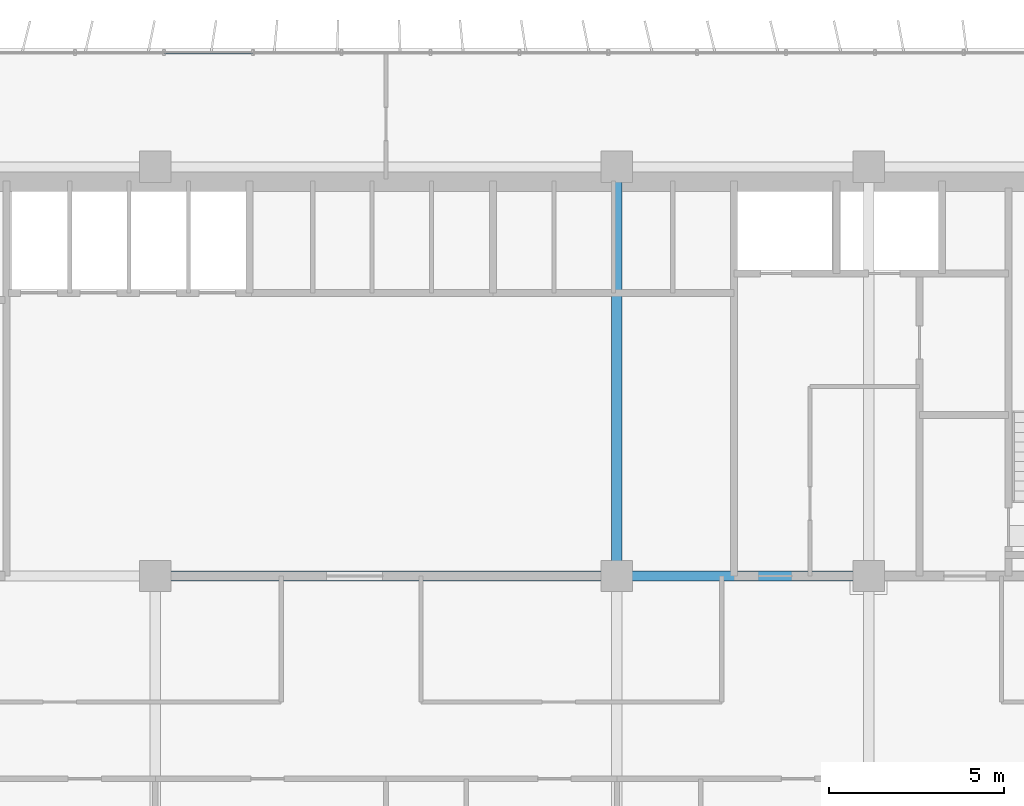
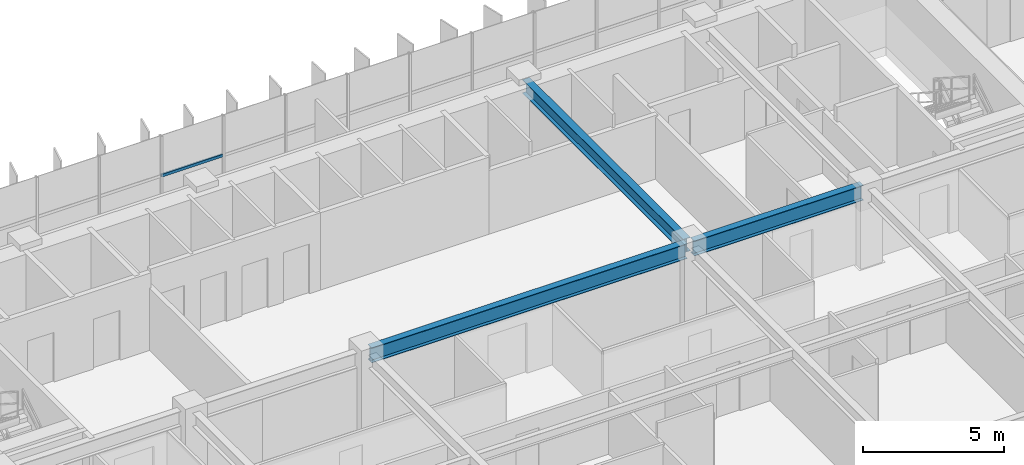
# One storey, part 7 of 26: 3 beams, 1 member, 1 element without a shape of its own.
"""IFC4 building model written with IfcOpenShell, lengths in metres."""

from ifc_helpers import new_model, si_unit, direction, frame, origin, origin_2d, place, context, subcontext, project, spatial, hollow_rectangle, i_section, extrude, source, transform, mapped, material, material_profile, profile_set, type_object, element, aggregate, save


model = new_model("IFC4")

# Units and contexts
model_context = context("Model", 3, precision=1e-05, world=origin(), true_north=direction((0.0, 1.0)))
body_context = subcontext(model_context, "Body", "Model", "MODEL_VIEW")
ifc_project = project(units=[si_unit("LENGTHUNIT", "METRE"), si_unit("AREAUNIT", "SQUARE_METRE"), si_unit("VOLUMEUNIT", "CUBIC_METRE"), si_unit("PLANEANGLEUNIT", "RADIAN"), si_unit("MASSUNIT", "GRAM", prefix="KILO")], contexts=[model_context])

# Site, building, storey
site_placement = place(None, origin())
site = spatial("IfcSite", under=ifc_project, at=site_placement, CompositionType="ELEMENT")
building_placement = place(site_placement, origin())
building = spatial("IfcBuilding", under=site, at=building_placement, Name="Trelvane Seafront Commons", CompositionType="ELEMENT")
storey_placement = place(building_placement, frame((0.0, 0.0, 23.5)))
storey = spatial("IfcBuildingStorey", under=building, at=storey_placement, Name="L05", CompositionType="ELEMENT", Elevation=23.5)

# Beams
ifc_material_1 = material(Name="Steel SM355 (S355)", Category="steel")
ifc_material_profile_1 = material_profile(ifc_material_1, i_section(OverallWidth=0.280029296875, OverallDepth=0.64990234375, WebThickness=0.012939453125, FlangeThickness=0.02197265625, at=origin_2d()), Name="H-650x280x13x22")
ifc_profile_set_1 = profile_set([ifc_material_profile_1], Name="Steel SM355 (S355)")
beam_type_1 = type_object("IfcBeamType", Name="STR-BM-H650", PredefinedType="BEAM", material=ifc_profile_set_1)
shared_shape_1 = source(origin(), body_context, "Body", "SweptSolid", [
    extrude(i_section(OverallWidth=0.280029296875, OverallDepth=0.64990234375, WebThickness=0.012939453125, FlangeThickness=0.02197265625, at=origin_2d()), origin(), (0.0, 0.0, 1.0), 12.89990234375),
])
beam_1_placement = place(storey_placement, frame((30.75, 33.39990234375, 3.014892578125), z_axis=(1.0, 0.0, 0.0), x_axis=(0.0, 1.0, 0.0)))
element("IfcBeam", 1, at=beam_1_placement, inside=storey, type_object=beam_type_1, Name="L05 Primary Girder G-23", PredefinedType="BEAM", context=body_context, shape_type="MappedRepresentation", body=[
    mapped(shared_shape_1, transform((0.0, 0.0, 0.0), x_axis=(1.0, 0.0, 0.0), y_axis=(0.0, 1.0, 0.0), z_axis=(0.0, 0.0, 1.0), scale=1.0)),
])
shared_shape_2 = source(origin(), body_context, "Body", "SweptSolid", [
    extrude(i_section(OverallWidth=0.280029296875, OverallDepth=0.64990234375, WebThickness=0.012939453125, FlangeThickness=0.02197265625, at=origin_2d()), origin(), (0.0, 0.0, 1.0), 6.900146484375),
])
beam_2_placement = place(storey_placement, frame((43.949951171875, 33.39990234375, 3.014892578125), z_axis=(1.0, 0.0, 0.0), x_axis=(0.0, 1.0, 0.0)))
element("IfcBeam", 2, at=beam_2_placement, inside=storey, type_object=beam_type_1, Name="L05 Primary Girder G-24", PredefinedType="BEAM", context=body_context, shape_type="MappedRepresentation", body=[
    mapped(shared_shape_2, transform((0.0, 0.0, 0.0), x_axis=(1.0, 0.0, 0.0), y_axis=(0.0, 1.0, 0.0), z_axis=(0.0, 0.0, 1.0), scale=1.0)),
])
ifc_material_profile_2 = material_profile(ifc_material_1, i_section(OverallWidth=0.300048828125, OverallDepth=0.587890625, WebThickness=0.011962890625, FlangeThickness=0.02001953125, at=origin_2d()), Name="H-588x300x12x20")
ifc_profile_set_2 = profile_set([ifc_material_profile_2], Name="Steel SM355 (S355)")
beam_type_2 = type_object("IfcBeamType", Name="STR-BM-H588", PredefinedType="BEAM", material=ifc_profile_set_2)
shared_shape_3 = source(origin(), body_context, "Body", "SweptSolid", [
    extrude(i_section(OverallWidth=0.300048828125, OverallDepth=0.587890625, WebThickness=0.011962890625, FlangeThickness=0.02001953125, at=origin_2d()), origin(), (0.0, 0.0, 1.0), 11.39990234375),
])
beam_3_placement = place(storey_placement, frame((43.800048828125, 33.550048828125, 3.0458984375), z_axis=(0.0, 1.0, 0.0), x_axis=(-1.0, 0.0, 0.0)))
element("IfcBeam", 3, at=beam_3_placement, inside=storey, type_object=beam_type_2, Name="L05 Primary Girder G-54", PredefinedType="BEAM", context=body_context, shape_type="MappedRepresentation", body=[
    mapped(shared_shape_3, transform((0.0, 0.0, 0.0), x_axis=(1.0, 0.0, 0.0), y_axis=(0.0, 1.0, 0.0), z_axis=(0.0, 0.0, 1.0), scale=1.0)),
])

# Curtain wall, member
ifc_material_2 = material(Name="Anodised pale-silver aluminium", Category="aluminium")
curtain_wall_type = type_object("IfcCurtainWallType", Name="ARCH-CW2-LOWTOWER", PredefinedType="NOTDEFINED", material=ifc_material_2)
curtain_wall_placement = place(storey_placement, origin())
curtain_wall = element("IfcCurtainWall", 4, at=curtain_wall_placement, inside=storey, type_object=curtain_wall_type, Name="CW-L05-0029", PredefinedType="NOTDEFINED")
ifc_material_profile_3 = material_profile(ifc_material_2, hollow_rectangle(XDim=0.070068359375, YDim=0.1201171875, WallThickness=0.00390625, at=origin_2d()), Name="TRAN-70x120x4")
ifc_profile_set_3 = profile_set([ifc_material_profile_3], Name="Anodised pale-silver aluminium")
member_type = type_object("IfcMemberType", Name="ARCH-CW-TRAN-120", PredefinedType="USERDEFINED", material=ifc_profile_set_3)
shared_shape_4 = source(origin(), body_context, "Body", "SweptSolid", [
    extrude(hollow_rectangle(XDim=0.070068359375, YDim=0.1201171875, WallThickness=0.00390625, at=origin_2d()), origin(), (0.0, 0.0, 1.0), 2.51708984375),
])
member_placement = place(storey_placement, frame((30.859130859375, 48.3701171875, 1.60302734375), z_axis=(1.0, 0.0, 0.0), x_axis=(0.0, 1.0, 0.0)))
member = element("IfcMember", 5, at=member_placement, type_object=member_type, Name="CW-L05-0029-T06", ObjectType="TRANSOM", PredefinedType="USERDEFINED", context=body_context, shape_type="MappedRepresentation", body=[
    mapped(shared_shape_4, transform((0.0, 0.0, 0.0), x_axis=(1.0, 0.0, 0.0), y_axis=(0.0, 1.0, 0.0), z_axis=(0.0, 0.0, 1.0), scale=1.0)),
])
aggregate(curtain_wall, [member])

save(model, "model.ifc")
